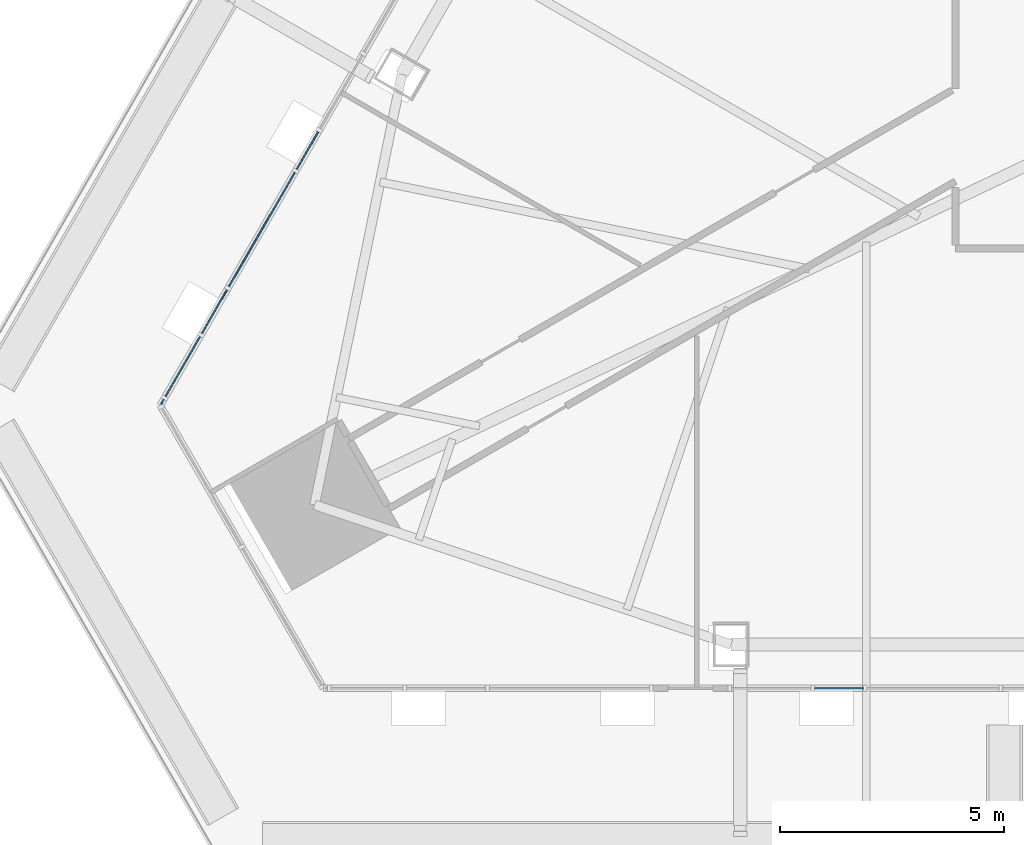
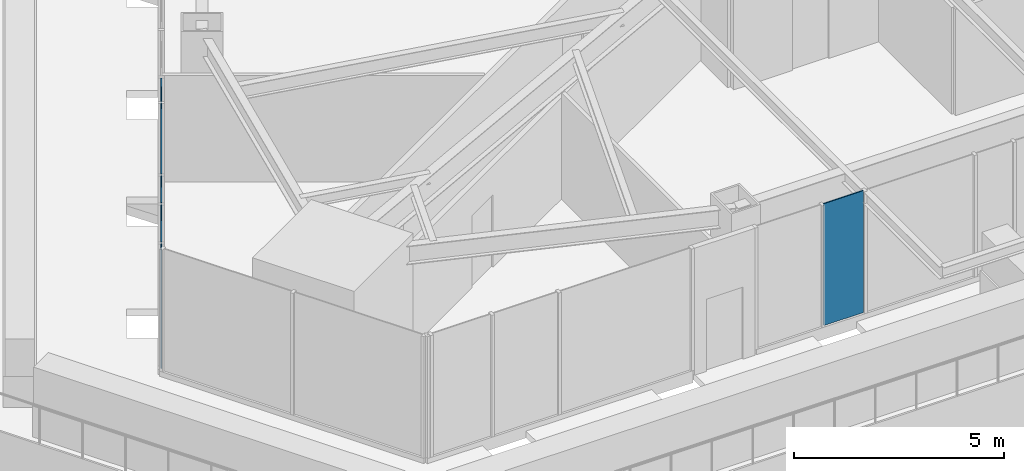
# One storey, part 16 of 35: 6 plates, 2 elements without a shape of their own.
"""IFC4 building model written with IfcOpenShell, lengths in metres."""

from ifc_helpers import new_model, si_unit, direction, frame, origin, place, context, subcontext, project, spatial, polyline, outline, extrude, material, layer, layer_set, type_object, element, aggregate, save


model = new_model("IFC4")

# Units and contexts
model_context = context("Model", 3, precision=1e-05, world=origin(), true_north=direction((0.0, 1.0)))
body_context = subcontext(model_context, "Body", "Model", "MODEL_VIEW")
ifc_project = project(units=[si_unit("LENGTHUNIT", "METRE"), si_unit("AREAUNIT", "SQUARE_METRE"), si_unit("VOLUMEUNIT", "CUBIC_METRE"), si_unit("PLANEANGLEUNIT", "RADIAN"), si_unit("MASSUNIT", "GRAM", prefix="KILO")], contexts=[model_context])

# Site, building, storey
site_placement = place(None, origin())
site = spatial("IfcSite", under=ifc_project, at=site_placement, CompositionType="ELEMENT")
building_placement = place(site_placement, origin())
building = spatial("IfcBuilding", under=site, at=building_placement, Name="Firuza Gate Tower and Library", CompositionType="ELEMENT")
storey_placement = place(building_placement, frame((0.0, 0.0, 159.699951171875)))
storey = spatial("IfcBuildingStorey", under=building, at=storey_placement, Name="L36", CompositionType="ELEMENT", Elevation=159.699951171875)

# Curtain wall, plate
ifc_material_1 = material(Name="Aluminium 6063-T6", Category="aluminium")
ifc_layer_1 = layer(ifc_material_1, 0.14990234375)
ifc_layer_set_1 = layer_set([ifc_layer_1], Name="Unitised curtain wall, hotel")
curtain_wall_type = type_object("IfcCurtainWallType", Name="Unitised curtain wall, hotel", PredefinedType="NOTDEFINED", material=ifc_layer_set_1)
placement = place(storey_placement, origin())
curtain_wall_1 = element("IfcCurtainWall", 1, at=placement, inside=storey, type_object=curtain_wall_type, Name="CW2 L36 W face", PredefinedType="NOTDEFINED")
ifc_material_2 = material(Name="Fritted glass", Category="glass")
ifc_layer_2 = layer(ifc_material_2, 0.030029296875)
ifc_layer_set_2 = layer_set([ifc_layer_2], Name="Fritted glass unit, hotel")
plate_type_1 = type_object("IfcPlateType", Name="Fritted glass unit, hotel", PredefinedType="CURTAIN_PANEL", material=ifc_layer_set_2)
plate_1_placement = place(storey_placement, frame((45.02734375, 62.943359375, 0.150146484375), z_axis=(-0.86600656285, 0.500032632036, 0.0), x_axis=(-0.500032632036, -0.86600656285, 0.0)))
plate_1 = element("IfcPlate", 2, at=plate_1_placement, type_object=plate_type_1, Name="Glass unit", PredefinedType="CURTAIN_PANEL", context=body_context, shape_type="SweptSolid", body=[
    extrude(outline(polyline([(0.0, 0.0), (1.5443328043021938, 0.0), (1.5443328043021938, 3.5498046875), (0.0, 3.5498046875), (0.0, 0.0)])), origin(), (0.0, 0.0, -1.0), 0.030029296875),
])

curtain_wall_2 = element("IfcCurtainWall", 3, at=placement, inside=storey, type_object=curtain_wall_type, Name="CW2 L36 S face", PredefinedType="NOTDEFINED")
ifc_material_3 = material(Name="Glazed ceramic tile")
ifc_layer_3 = layer(ifc_material_3, 0.030029296875)
ifc_layer_set_3 = layer_set([ifc_layer_3], Name="Opaque ceramic panel, hotel")
plate_type_2 = type_object("IfcPlateType", Name="Opaque ceramic panel, hotel", PredefinedType="CURTAIN_PANEL", material=ifc_layer_set_3)
plate_2_placement = place(storey_placement, frame((58.752197265625, 55.071044921875, 0.150146484375), z_axis=(0.0, -1.0, 0.0), x_axis=(1.0, 0.0, 0.0)))
plate_2 = element("IfcPlate", 4, at=plate_2_placement, type_object=plate_type_2, Name="Opaque ceramic panel", PredefinedType="CURTAIN_PANEL", context=body_context, shape_type="SweptSolid", body=[
    extrude(outline(polyline([(0.0, 0.0), (1.09375, 0.0), (1.09375, 3.5498046875), (0.0, 3.5498046875), (0.0, 0.0)])), origin(), (0.0, 0.0, -1.0), 0.030029296875),
])
aggregate(curtain_wall_2, [plate_2])

# Plate
plate_3_placement = place(storey_placement, frame((47.6650390625, 67.511962890625, 0.150146484375), z_axis=(-0.866013246922, 0.500021055713, 0.0), x_axis=(-0.500021055713, -0.866013246922, 0.0)))
plate_3 = element("IfcPlate", 5, at=plate_3_placement, type_object=plate_type_2, Name="Opaque ceramic panel", PredefinedType="CURTAIN_PANEL", context=body_context, shape_type="SweptSolid", body=[
    extrude(outline(polyline([(0.0, 0.0), (0.9672444242078595, 0.0), (0.9672444242078595, 3.5498046874999996), (0.0, 3.5498046874999996), (0.0, 0.0)])), origin(), (0.0, 0.0, -1.0), 0.030029296875),
])

plate_4_placement = place(storey_placement, frame((47.141357421875, 66.60498046875, 0.150146484375), z_axis=(-0.866023947468, 0.500002522405, 0.0), x_axis=(-0.500002522405, -0.866023947468, 0.0)))
plate_4 = element("IfcPlate", 6, at=plate_4_placement, type_object=plate_type_2, Name="Opaque ceramic panel", PredefinedType="CURTAIN_PANEL", context=body_context, shape_type="SweptSolid", body=[
    extrude(outline(polyline([(0.0, 0.0), (2.942856247596896, 0.0), (2.942856247596896, 3.5498046875), (0.0, 3.5498046875), (0.0, 0.0)])), origin(), (0.0, 0.0, -1.0), 0.030029296875),
])

plate_5_placement = place(storey_placement, frame((45.6298828125, 63.9873046875, 0.150146484375), z_axis=(-0.866004950882, 0.500035423793, 0.0), x_axis=(-0.500035423793, -0.866004950882, 0.0)))
plate_5 = element("IfcPlate", 7, at=plate_5_placement, type_object=plate_type_2, Name="Opaque ceramic panel", PredefinedType="CURTAIN_PANEL", context=body_context, shape_type="SweptSolid", body=[
    extrude(outline(polyline([(0.0, 0.0), (1.1254085487704724, 0.0), (1.1254085487704724, 3.5498046875), (0.0, 3.5498046875), (0.0, 0.0)])), origin(), (0.0, 0.0, -1.0), 0.030029296875),
])

plate_6_placement = place(storey_placement, frame((44.215087890625, 61.53662109375, 0.150146484375), z_axis=(-0.865574031608, 0.500780985868, 0.0), x_axis=(-0.500780985868, -0.865574031608, 0.0)))
plate_6 = element("IfcPlate", 8, at=plate_6_placement, type_object=plate_type_2, Name="Opaque ceramic panel", PredefinedType="CURTAIN_PANEL", context=body_context, shape_type="SweptSolid", body=[
    extrude(outline(polyline([(0.0, 0.0), (0.11310458383689945, 0.0), (0.11310458383689945, 3.5498046875), (0.0, 3.5498046875), (0.0, 0.0)])), origin(), (0.0, 0.0, -1.0), 0.030029296875),
])

aggregate(curtain_wall_1, [plate_3, plate_4, plate_5, plate_1, plate_6])

save(model, "model.ifc")
